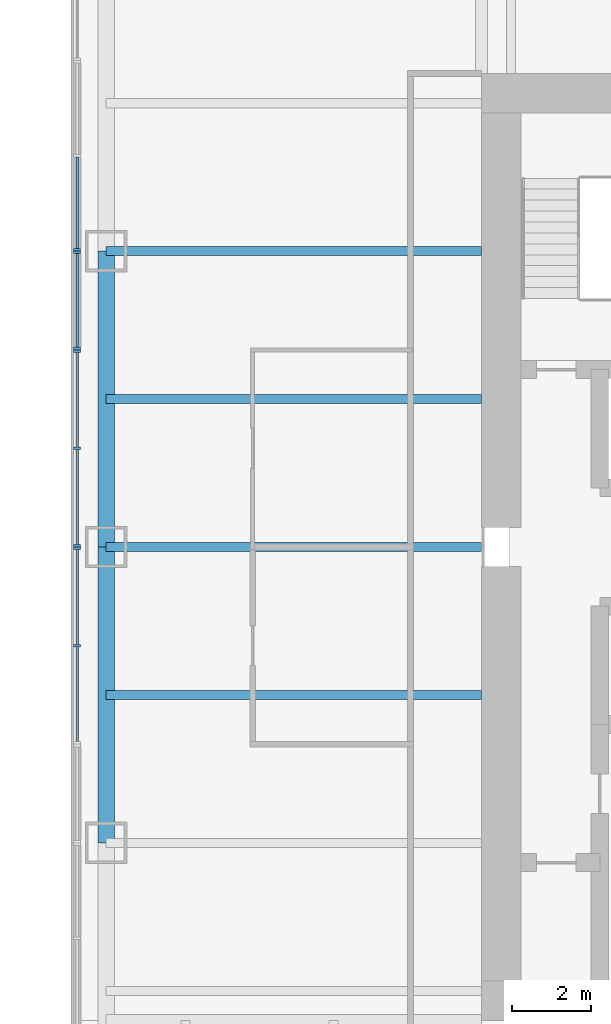
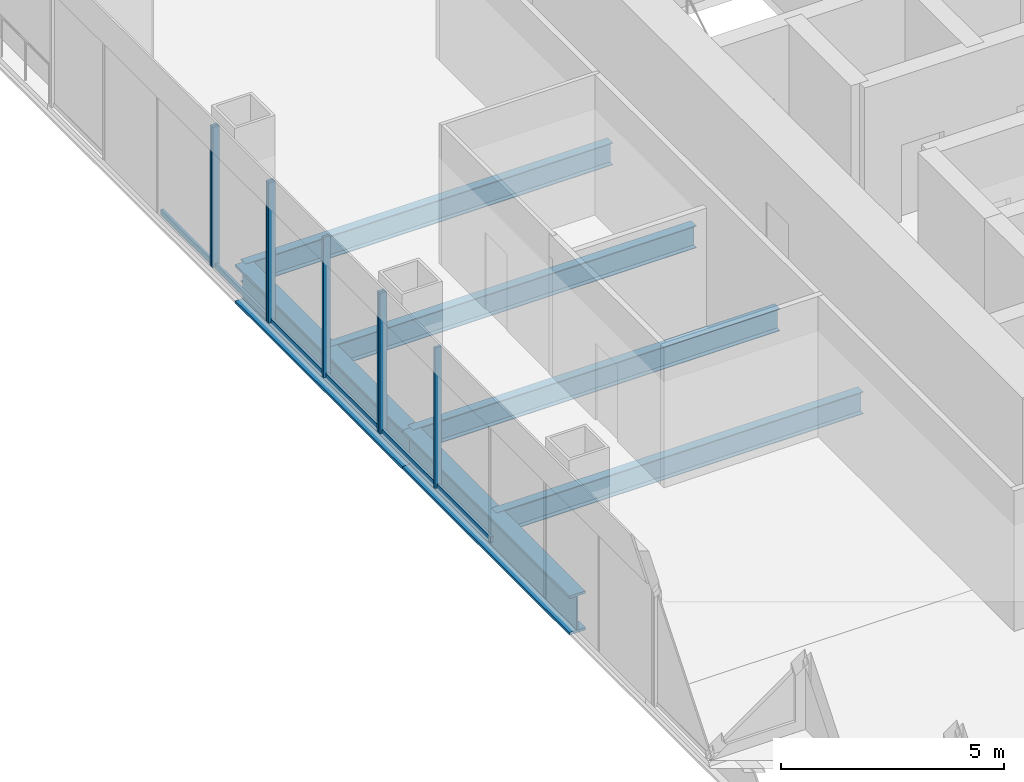
# One storey, part 3 of 13: 14 members, 6 beams, 4 elements without a shape of their own.
"""IFC4 building model written with IfcOpenShell, lengths in metres."""

from ifc_helpers import new_model, si_unit, direction, frame, origin, origin_2d, place, context, subcontext, project, spatial, rectangle, i_section, extrude, material, material_profile, profile_set, type_object, element, aggregate, save


model = new_model("IFC4")

# Units and contexts
model_context = context("Model", 3, precision=1e-05, world=origin(), true_north=direction((0.0, 1.0)))
body_context = subcontext(model_context, "Body", "Model", "MODEL_VIEW")
ifc_project = project(units=[si_unit("LENGTHUNIT", "METRE"), si_unit("AREAUNIT", "SQUARE_METRE"), si_unit("VOLUMEUNIT", "CUBIC_METRE"), si_unit("PLANEANGLEUNIT", "RADIAN"), si_unit("MASSUNIT", "GRAM", prefix="KILO")], contexts=[model_context])

# Site, building, storey
site_placement = place(None, origin())
site = spatial("IfcSite", under=ifc_project, at=site_placement, CompositionType="ELEMENT")
building_placement = place(site_placement, origin())
building = spatial("IfcBuilding", under=site, at=building_placement, Name="Tarangal Relay Tower", CompositionType="ELEMENT")
storey_placement = place(building_placement, frame((0.0, 0.0, 225.89990234375)))
storey = spatial("IfcBuildingStorey", under=building, at=storey_placement, Name="L48", CompositionType="ELEMENT", Elevation=225.89990234375)

# Beams
ifc_material_1 = material(Name="Steel ASTM A992", Category="steel")
ifc_material_profile_1 = material_profile(ifc_material_1, i_section(OverallWidth=0.41650390625, OverallDepth=1.0693359375, WebThickness=0.0390625, FlangeThickness=0.070068359375, at=origin_2d()), Name="W40X503")
ifc_profile_set_1 = profile_set([ifc_material_profile_1], Name="Steel ASTM A992")
beam_type_1 = type_object("IfcBeamType", Name="Edge girder W40X503", PredefinedType="SPANDREL", material=ifc_profile_set_1)
for number, where, z_axis, x_axis, name in (
    (1, (-21.514892578125, -7.5, -0.6845703125), (0.0, 1.0, 0.0), (-1.0, 0.0, 0.0), "Edge girder EG8 W L48"),
    (2, (-21.514892578125, 0.0, -0.6845703125), (0.0, 1.0, 0.0), (-1.0, 0.0, 0.0), "Edge girder EG8 W L48"),
):
    element("IfcBeam", number, at=place(storey_placement, frame(where, z_axis=z_axis, x_axis=x_axis)), inside=storey, type_object=beam_type_1, Name=name, PredefinedType="SPANDREL", context=body_context, shape_type="SweptSolid", body=[
        extrude(i_section(OverallWidth=0.41650390625, OverallDepth=1.0693359375, WebThickness=0.0390625, FlangeThickness=0.070068359375, at=origin_2d()), origin(), (0.0, 0.0, 1.0), 7.5),
    ])
ifc_material_profile_2 = material_profile(ifc_material_1, i_section(OverallWidth=0.22900390625, OverallDepth=0.612060546875, WebThickness=0.011962890625, FlangeThickness=0.01953125, at=origin_2d()), Name="W24X84")
ifc_profile_set_2 = profile_set([ifc_material_profile_2], Name="Steel ASTM A992")
beam_type_2 = type_object("IfcBeamType", Name="Floor beam W24X84", PredefinedType="BEAM", material=ifc_profile_set_2)
for number, where, z_axis, x_axis, name in (
    (3, (-12.0, -3.75, -0.455810546875), (-1.0, 0.0, 0.0), (0.0, -1.0, 0.0), "Floor beam RB12 W L48"),
    (4, (-12.0, 0.0, -0.455810546875), (-1.0, 0.0, 0.0), (0.0, -1.0, 0.0), "Floor beam RB12 W L48"),
    (5, (-12.0, 3.75, -0.455810546875), (-1.0, 0.0, 0.0), (0.0, -1.0, 0.0), "Floor beam RB12 W L48"),
    (6, (-12.0, 7.5, -0.455810546875), (-1.0, 0.0, 0.0), (0.0, -1.0, 0.0), "Floor beam RB12 W L48"),
):
    element("IfcBeam", number, at=place(storey_placement, frame(where, z_axis=z_axis, x_axis=x_axis)), inside=storey, type_object=beam_type_2, Name=name, PredefinedType="BEAM", context=body_context, shape_type="SweptSolid", body=[
        extrude(i_section(OverallWidth=0.22900390625, OverallDepth=0.612060546875, WebThickness=0.011962890625, FlangeThickness=0.01953125, at=origin_2d()), origin(), (0.0, 0.0, 1.0), 9.514892578125),
    ])

# Curtain wall, members
ifc_material_2 = material(Name="Unitised curtain wall, dark glass and black aluminium", Category="aluminium")
curtain_wall_type_1 = type_object("IfcCurtainWallType", Name="Curtain wall CW-A", PredefinedType="USERDEFINED", material=ifc_material_2)
curtain_wall_1_placement = place(storey_placement, origin())
curtain_wall_1 = element("IfcCurtainWall", 7, at=curtain_wall_1_placement, inside=storey, type_object=curtain_wall_type_1, Name="Curtain wall CW-A W facade L48", ObjectType="UNITISED CURTAIN WALL", PredefinedType="USERDEFINED")
ifc_material_3 = material(Name="Black anodised aluminium mullion", Category="aluminium")
ifc_material_profile_3 = material_profile(ifc_material_3, rectangle(XDim=0.175048828125, YDim=0.06494140625, at=origin_2d()), Name="CW-AM 65X175")
ifc_profile_set_3 = profile_set([ifc_material_profile_3], Name="Black anodised aluminium mullion")
member_type_1 = type_object("IfcMemberType", Name="Mullion CW-A 65 x 175", PredefinedType="MULLION", material=ifc_profile_set_3)
member_1_placement = place(storey_placement, frame((-22.25, -2.5, 0.0), z_axis=(0.0, 0.0, 1.0), x_axis=(-1.0, 0.0, 0.0)))
member_1 = element("IfcMember", 8, at=member_1_placement, type_object=member_type_1, Name="CW-A mullion 2", PredefinedType="MULLION", context=body_context, shape_type="SweptSolid", body=[
    extrude(rectangle(XDim=0.175048828125, YDim=0.06494140625, at=origin_2d()), origin(), (0.0, 0.0, 1.0), 3.85009765625),
])
member_2_placement = place(storey_placement, frame((-22.25, -0.032470703125, 0.0), z_axis=(0.0, 0.0, 1.0), x_axis=(-1.0, 0.0, 0.0)))
member_2 = element("IfcMember", 9, at=member_2_placement, type_object=member_type_1, Name="CW-A mullion 3", PredefinedType="MULLION", context=body_context, shape_type="SweptSolid", body=[
    extrude(rectangle(XDim=0.175048828125, YDim=0.06494140625, at=origin_2d()), origin(), (0.0, 0.0, 1.0), 3.85009765625),
])

curtain_wall_2_placement = place(storey_placement, origin())
curtain_wall_2 = element("IfcCurtainWall", 10, at=curtain_wall_2_placement, inside=storey, type_object=curtain_wall_type_1, Name="Curtain wall CW-A W facade L48", ObjectType="UNITISED CURTAIN WALL", PredefinedType="USERDEFINED")
member_3_placement = place(storey_placement, frame((-22.25, 0.032470703125, 0.0), z_axis=(0.0, 0.0, 1.0), x_axis=(-1.0, 0.0, 0.0)))
member_3 = element("IfcMember", 11, at=member_3_placement, type_object=member_type_1, Name="CW-A mullion 1", PredefinedType="MULLION", context=body_context, shape_type="SweptSolid", body=[
    extrude(rectangle(XDim=0.175048828125, YDim=0.06494140625, at=origin_2d()), origin(), (0.0, 0.0, 1.0), 3.85009765625),
])
member_4_placement = place(storey_placement, frame((-22.25, 2.5, 0.0), z_axis=(0.0, 0.0, 1.0), x_axis=(-1.0, 0.0, 0.0)))
member_4 = element("IfcMember", 12, at=member_4_placement, type_object=member_type_1, Name="CW-A mullion 2", PredefinedType="MULLION", context=body_context, shape_type="SweptSolid", body=[
    extrude(rectangle(XDim=0.175048828125, YDim=0.06494140625, at=origin_2d()), origin(), (0.0, 0.0, 1.0), 3.85009765625),
])
member_5_placement = place(storey_placement, frame((-22.25, 4.967529296875, 0.0), z_axis=(0.0, 0.0, 1.0), x_axis=(-1.0, 0.0, 0.0)))
member_5 = element("IfcMember", 13, at=member_5_placement, type_object=member_type_1, Name="CW-A mullion 3", PredefinedType="MULLION", context=body_context, shape_type="SweptSolid", body=[
    extrude(rectangle(XDim=0.175048828125, YDim=0.06494140625, at=origin_2d()), origin(), (0.0, 0.0, 1.0), 3.85009765625),
])

ifc_material_4 = material(Name="Unitised curtain wall frame, black aluminium, with metal clad infill walls", Category="aluminium")
curtain_wall_type_2 = type_object("IfcCurtainWallType", Name="Curtain wall CW-AO", PredefinedType="USERDEFINED", material=ifc_material_4)
curtain_wall_3_placement = place(storey_placement, origin())
curtain_wall_3 = element("IfcCurtainWall", 14, at=curtain_wall_3_placement, inside=storey, type_object=curtain_wall_type_2, Name="Curtain wall CW-AO W facade L48", ObjectType="UNITISED CURTAIN WALL", PredefinedType="USERDEFINED")
ifc_material_profile_4 = material_profile(ifc_material_3, rectangle(XDim=0.175048828125, YDim=0.06494140625, at=origin_2d()), Name="CW-AOM 65X175")
ifc_profile_set_4 = profile_set([ifc_material_profile_4], Name="Black anodised aluminium mullion")
member_type_2 = type_object("IfcMemberType", Name="Mullion CW-AO 65 x 175", PredefinedType="MULLION", material=ifc_profile_set_4)
member_6_placement = place(storey_placement, frame((-22.25, 5.032470703125, 0.0), z_axis=(0.0, 0.0, 1.0), x_axis=(-1.0, 0.0, 0.0)))
member_6 = element("IfcMember", 15, at=member_6_placement, type_object=member_type_2, Name="CW-AO mullion 1", PredefinedType="MULLION", context=body_context, shape_type="SweptSolid", body=[
    extrude(rectangle(XDim=0.175048828125, YDim=0.06494140625, at=origin_2d()), origin(), (0.0, 0.0, 1.0), 3.85009765625),
])
member_7_placement = place(storey_placement, frame((-22.25, 7.467529296875, 0.0), z_axis=(0.0, 0.0, 1.0), x_axis=(-1.0, 0.0, 0.0)))
member_7 = element("IfcMember", 16, at=member_7_placement, type_object=member_type_2, Name="CW-AO mullion 2", PredefinedType="MULLION", context=body_context, shape_type="SweptSolid", body=[
    extrude(rectangle(XDim=0.175048828125, YDim=0.06494140625, at=origin_2d()), origin(), (0.0, 0.0, 1.0), 3.85009765625),
])

# Curtain wall, member
curtain_wall_4_placement = place(storey_placement, origin())
curtain_wall_4 = element("IfcCurtainWall", 17, at=curtain_wall_4_placement, inside=storey, type_object=curtain_wall_type_2, Name="Curtain wall CW-AO W facade L48", ObjectType="UNITISED CURTAIN WALL", PredefinedType="USERDEFINED")
member_8_placement = place(storey_placement, frame((-22.25, 7.532470703125, 0.0), z_axis=(0.0, 0.0, 1.0), x_axis=(-1.0, 0.0, 0.0)))
member_8 = element("IfcMember", 18, at=member_8_placement, type_object=member_type_2, Name="CW-AO mullion 1", PredefinedType="MULLION", context=body_context, shape_type="SweptSolid", body=[
    extrude(rectangle(XDim=0.175048828125, YDim=0.06494140625, at=origin_2d()), origin(), (0.0, 0.0, 1.0), 3.85009765625),
])

# Member
ifc_material_5 = material(Name="Black anodised aluminium transom", Category="aluminium")
ifc_material_profile_5 = material_profile(ifc_material_5, rectangle(XDim=0.06494140625, YDim=0.14990234375, at=origin_2d()), Name="CW-AT 65X150")
ifc_profile_set_5 = profile_set([ifc_material_profile_5], Name="Black anodised aluminium transom")
member_type_3 = type_object("IfcMemberType", Name="Transom CW-A 65 x 150", PredefinedType="USERDEFINED", material=ifc_profile_set_5)
member_9_placement = place(storey_placement, frame((-22.25, -4.93505859375, 0.03271484375), z_axis=(0.0, 1.0, 0.0), x_axis=(-1.0, 0.0, 0.0)))
member_9 = element("IfcMember", 19, at=member_9_placement, type_object=member_type_3, Name="CW-A transom 1.1", ObjectType="TRANSOM", PredefinedType="USERDEFINED", context=body_context, shape_type="SweptSolid", body=[
    extrude(rectangle(XDim=0.06494140625, YDim=0.14990234375, at=origin_2d()), origin(), (0.0, 0.0, 1.0), 2.402587890625),
])

member_10_placement = place(storey_placement, frame((-22.25, -2.467529296875, 0.03271484375), z_axis=(0.0, 1.0, 0.0), x_axis=(-1.0, 0.0, 0.0)))
member_10 = element("IfcMember", 20, at=member_10_placement, type_object=member_type_3, Name="CW-A transom 2.1", ObjectType="TRANSOM", PredefinedType="USERDEFINED", context=body_context, shape_type="SweptSolid", body=[
    extrude(rectangle(XDim=0.06494140625, YDim=0.14990234375, at=origin_2d()), origin(), (0.0, 0.0, 1.0), 2.402587890625),
])

aggregate(curtain_wall_1, [member_1, member_2, member_9, member_10])

member_11_placement = place(storey_placement, frame((-22.25, 0.06494140625, 0.03271484375), z_axis=(0.0, 1.0, 0.0), x_axis=(-1.0, 0.0, 0.0)))
member_11 = element("IfcMember", 21, at=member_11_placement, type_object=member_type_3, Name="CW-A transom 1.1", ObjectType="TRANSOM", PredefinedType="USERDEFINED", context=body_context, shape_type="SweptSolid", body=[
    extrude(rectangle(XDim=0.06494140625, YDim=0.14990234375, at=origin_2d()), origin(), (0.0, 0.0, 1.0), 2.402587890625),
])

member_12_placement = place(storey_placement, frame((-22.25, 2.532470703125, 0.03271484375), z_axis=(0.0, 1.0, 0.0), x_axis=(-1.0, 0.0, 0.0)))
member_12 = element("IfcMember", 22, at=member_12_placement, type_object=member_type_3, Name="CW-A transom 2.1", ObjectType="TRANSOM", PredefinedType="USERDEFINED", context=body_context, shape_type="SweptSolid", body=[
    extrude(rectangle(XDim=0.06494140625, YDim=0.14990234375, at=origin_2d()), origin(), (0.0, 0.0, 1.0), 2.402587890625),
])

aggregate(curtain_wall_2, [member_3, member_4, member_5, member_11, member_12])

ifc_material_profile_6 = material_profile(ifc_material_5, rectangle(XDim=0.06494140625, YDim=0.14990234375, at=origin_2d()), Name="CW-AOT 65X150")
ifc_profile_set_6 = profile_set([ifc_material_profile_6], Name="Black anodised aluminium transom")
member_type_4 = type_object("IfcMemberType", Name="Transom CW-AO 65 x 150", PredefinedType="USERDEFINED", material=ifc_profile_set_6)
member_13_placement = place(storey_placement, frame((-22.25, 5.06494140625, 0.03271484375), z_axis=(0.0, 1.0, 0.0), x_axis=(-1.0, 0.0, 0.0)))
member_13 = element("IfcMember", 23, at=member_13_placement, type_object=member_type_4, Name="CW-AO transom 1.1", ObjectType="TRANSOM", PredefinedType="USERDEFINED", context=body_context, shape_type="SweptSolid", body=[
    extrude(rectangle(XDim=0.06494140625, YDim=0.14990234375, at=origin_2d()), origin(), (0.0, 0.0, 1.0), 2.3701171875),
])

aggregate(curtain_wall_3, [member_6, member_7, member_13])

member_14_placement = place(storey_placement, frame((-22.25, 7.56494140625, 0.03271484375), z_axis=(0.0, 1.0, 0.0), x_axis=(-1.0, 0.0, 0.0)))
member_14 = element("IfcMember", 24, at=member_14_placement, type_object=member_type_4, Name="CW-AO transom 1.1", ObjectType="TRANSOM", PredefinedType="USERDEFINED", context=body_context, shape_type="SweptSolid", body=[
    extrude(rectangle(XDim=0.06494140625, YDim=0.14990234375, at=origin_2d()), origin(), (0.0, 0.0, 1.0), 2.319091796875),
])

aggregate(curtain_wall_4, [member_8, member_14])

save(model, "model.ifc")
